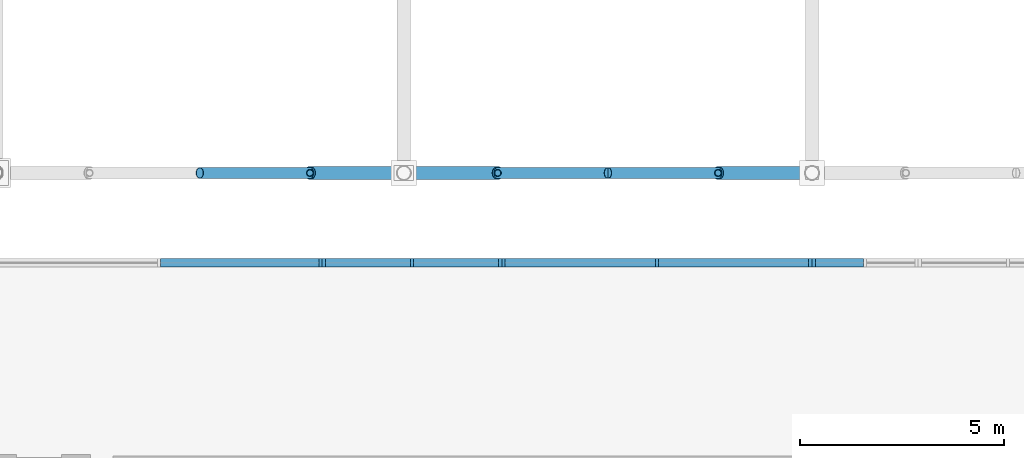
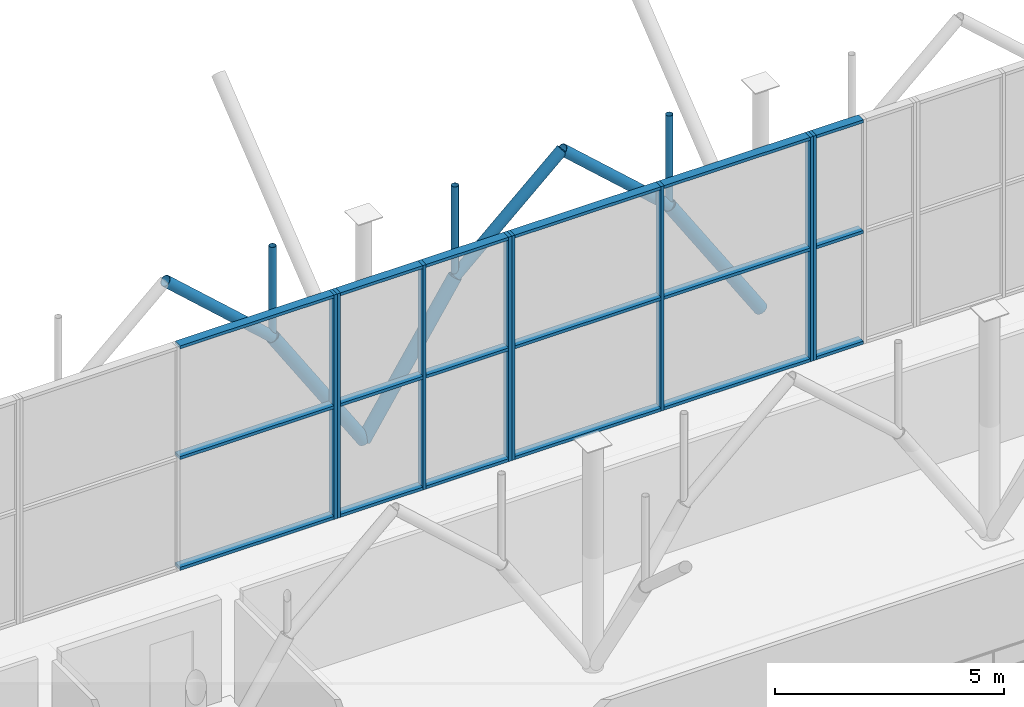
# One storey, part 61 of 109: 35 members, 4 elements without a shape of their own.
"""IFC4 building model written with IfcOpenShell, lengths in metres."""

import ifcopenshell
import ifcopenshell.guid

model = None  # the IFC model being written
_history = None  # IfcOwnerHistory: only IFC2X3 demands one
_inside = {}  # id of a spatial element -> (the spatial element, [elements in it])
_under = {}  # id of a project, library or spatial element -> (it, [spatial elements below it])
_declared = {}  # id of a project -> (the project, [libraries it declares])
_typed = {}  # id of a type object -> (the type object, [elements of that type])
_made_of = {}  # id of a material, layer set ... -> (it, [elements and type objects made of it])


def new_model(schema):
    """Start an empty IFC model of exactly this schema.

    Asked for "IFC4X3", IfcOpenShell would pick the latest addendum, in which some entities
    have other attributes; the version numbers below select the first issue.
    IFC2X3 requires an IfcOwnerHistory on every rooted entity: one is made here for all.
    """
    global model, _history
    if schema == "IFC4X3":
        model = ifcopenshell.file(schema_version=(4, 3, 0, 0))
    else:
        model = ifcopenshell.file(schema=schema)
    _inside.clear()
    _under.clear()
    _declared.clear()
    _typed.clear()
    _made_of.clear()
    _history = None
    if model.schema == "IFC2X3":
        org = make("IfcOrganization", Name="unknown")
        user = make(
            "IfcPersonAndOrganization",
            ThePerson=make("IfcPerson", FamilyName="unknown"),
            TheOrganization=org,
        )
        app = make(
            "IfcApplication",
            ApplicationDeveloper=org,
            Version="unknown",
            ApplicationFullName="unknown",
            ApplicationIdentifier="unknown",
        )
        _history = make(
            "IfcOwnerHistory",
            OwningUser=user,
            OwningApplication=app,
            ChangeAction="ADDED",
            CreationDate=0,
        )
    return model


def make(cls, **values):
    """One entity of the class cls with the attributes given. An attribute that is None is left unset."""
    return model.create_entity(
        cls, **{name: value for name, value in values.items() if value is not None}
    )


def rooted(cls, **values):
    """An entity with a GlobalId (a new one), such as an element, a storey or a relation."""
    return make(cls, GlobalId=ifcopenshell.guid.new(), OwnerHistory=_history, **values)


def si_unit(unit_type, name, prefix=None):
    """IfcSIUnit, for example si_unit("LENGTHUNIT", "METRE", prefix="MILLI")."""
    return make("IfcSIUnit", UnitType=unit_type, Prefix=prefix, Name=name)


def derived_unit(unit_type, elements):
    """IfcDerivedUnit: a product of units, each with its exponent."""
    return make(
        "IfcDerivedUnit",
        Elements=[
            make("IfcDerivedUnitElement", Unit=unit, Exponent=power)
            for unit, power in elements
        ],
        UnitType=unit_type,
    )


def assignment(units):
    """IfcUnitAssignment: the units of a project."""
    return None if units is None else make("IfcUnitAssignment", Units=units)


def point(xyz):
    """IfcCartesianPoint."""
    return None if xyz is None else make("IfcCartesianPoint", Coordinates=xyz)


def direction(xyz):
    """IfcDirection."""
    return None if xyz is None else make("IfcDirection", DirectionRatios=xyz)


def frame(location, z_axis=None, x_axis=None):
    """IfcAxis2Placement3D, a coordinate frame: its origin and axes. An axis left out is left unset."""
    return make(
        "IfcAxis2Placement3D",
        Location=point(location),
        Axis=direction(z_axis),
        RefDirection=direction(x_axis),
    )


def frame_2d(location, x_axis=None):
    """IfcAxis2Placement2D, a coordinate frame in the plane: its origin and x axis."""
    return make(
        "IfcAxis2Placement2D", Location=point(location), RefDirection=direction(x_axis)
    )


def origin():
    """The frame at (0, 0, 0) with its axes left unset."""
    return frame((0.0, 0.0, 0.0))


def origin_2d_with_axis():
    """The frame at (0, 0) in the plane with the x axis (1, 0) written out."""
    return frame_2d((0.0, 0.0), x_axis=(1.0, 0.0))


def place(relative_to, where):
    """IfcLocalPlacement: puts the frame where relative to a parent placement (None: the world)."""
    return make(
        "IfcLocalPlacement", PlacementRelTo=relative_to, RelativePlacement=where
    )


def context(
    kind, dimensions, precision=None, world=None, true_north=None, identifier=None
):
    """IfcGeometricRepresentationContext, for example the 3D "Model" context."""
    return make(
        "IfcGeometricRepresentationContext",
        ContextIdentifier=identifier,
        ContextType=kind,
        CoordinateSpaceDimension=dimensions,
        Precision=precision,
        WorldCoordinateSystem=world,
        TrueNorth=true_north,
    )


def subcontext(parent, identifier, kind, view, scale=None):
    """IfcGeometricRepresentationSubContext, for example "Body" below "Model"."""
    return make(
        "IfcGeometricRepresentationSubContext",
        ContextIdentifier=identifier,
        ContextType=kind,
        ParentContext=parent,
        TargetScale=scale,
        TargetView=view,
    )


def project(units=None, contexts=None):
    """IfcProject with its units and contexts."""
    return rooted(
        "IfcProject",
        Name="project",
        RepresentationContexts=contexts,
        UnitsInContext=assignment(units),
    )


def spatial(cls, under=None, at=None, **own):
    """A site, building, storey or space (cls), placed at a placement, below another one or the project."""
    s = rooted(cls, ObjectPlacement=at, **own)
    if under is not None:
        _under.setdefault(under.id(), (under, []))[1].append(s)
    return s


def profile(cls, at=None, kind="AREA", **sizes):
    """A parametric profile (cls). Its sizes go by their IFC names, for example OverallWidth=200.0."""
    return make(cls, ProfileType=kind, Position=at, **sizes)


def rectangle(**sizes):
    """IfcRectangleProfileDef."""
    return profile("IfcRectangleProfileDef", **sizes)


def hollow_circle(**sizes):
    """IfcCircleHollowProfileDef."""
    return profile("IfcCircleHollowProfileDef", **sizes)


def extrude(swept, where, along, depth):
    """IfcExtrudedAreaSolid: the profile swept, set in the frame where, extruded along a direction by depth."""
    return make(
        "IfcExtrudedAreaSolid",
        SweptArea=swept,
        Position=where,
        ExtrudedDirection=direction(along),
        Depth=depth,
    )


def shape(context_of_items, identifier, shape_type, items):
    """IfcShapeRepresentation: the items that make up one representation, for example the "Body"."""
    return make(
        "IfcShapeRepresentation",
        ContextOfItems=context_of_items,
        RepresentationIdentifier=identifier,
        RepresentationType=shape_type,
        Items=items,
    )


def material(Name=None, Category=None):
    """IfcMaterial."""
    return make("IfcMaterial", Name=Name, Category=Category)


def material_profile(
    of_material, cross_section, Name=None, Category=None, Priority=None
):
    """IfcMaterialProfile: a cross section and its material."""
    return make(
        "IfcMaterialProfile",
        Name=Name,
        Material=of_material,
        Profile=cross_section,
        Priority=Priority,
        Category=Category,
    )


def profile_set(profiles, Name=None, composite=None):
    """IfcMaterialProfileSet."""
    return make(
        "IfcMaterialProfileSet",
        Name=Name,
        MaterialProfiles=profiles,
        CompositeProfile=composite,
    )


def made_of(thing, what):
    """Note that an element or type object is made of a material, layer set ...; save() writes the relation."""
    if what is not None:
        _made_of.setdefault(what.id(), (what, []))[1].append(thing)
    return thing


def type_object(cls, material=None, **own):
    """A type object (cls), such as IfcWallType, which elements share."""
    return made_of(rooted(cls, **own), material)


def element(
    cls,
    number,
    at=None,
    inside=None,
    cuts=None,
    type_object=None,
    material=None,
    context=None,
    identifier="Body",
    shape_type=None,
    held_by="IfcProductDefinitionShape",
    body=None,
    shapes=None,
    **own,
):
    """One element of the class cls, such as IfcWall. Its Tag is "e" and its number.

    at: its placement. inside: the storey or other place that contains it. cuts: it is an
    opening in that element (IfcRelVoidsElement). A single representation is given by context,
    identifier, shape_type and body (its items); several are given by shapes. held_by: the class
    of the entity that holds the representations. save() writes the other relations.
    """
    e = rooted(cls, Tag="e%d" % number, ObjectPlacement=at, **own)
    if body is not None:
        shapes = [shape(context, identifier, shape_type, body)]
    if shapes is not None:
        e.Representation = make(held_by, Representations=shapes)
    if inside is not None:
        _inside.setdefault(inside.id(), (inside, []))[1].append(e)
    if cuts is not None:
        rooted(
            "IfcRelVoidsElement", RelatingBuildingElement=cuts, RelatedOpeningElement=e
        )
    if type_object is not None:
        _typed.setdefault(type_object.id(), (type_object, []))[1].append(e)
    return made_of(e, material)


def aggregate(whole, parts):
    """IfcRelAggregates: a whole, such as a stair, and the parts it consists of."""
    return rooted("IfcRelAggregates", RelatingObject=whole, RelatedObjects=parts)


def save(model, path):
    """Write the relations noted so far, then the file.

    IfcRelAggregates (storeys below a building ...), IfcRelContainedInSpatialStructure (elements
    in a storey), IfcRelDefinesByType, IfcRelAssociatesMaterial and IfcRelDeclares: one each for
    every whole, place, type object, material and project.
    """
    for whole, parts in _under.values():
        aggregate(whole, parts)
    for where, things in _inside.values():
        rooted(
            "IfcRelContainedInSpatialStructure",
            RelatedElements=things,
            RelatingStructure=where,
        )
    for kind, things in _typed.values():
        rooted("IfcRelDefinesByType", RelatedObjects=things, RelatingType=kind)
    for what, things in _made_of.values():
        rooted("IfcRelAssociatesMaterial", RelatedObjects=things, RelatingMaterial=what)
    for by, libraries in _declared.values():
        rooted("IfcRelDeclares", RelatingContext=by, RelatedDefinitions=libraries)
    model.write(path)


model = new_model("IFC4")

# Units and contexts
model_context = context("Model", 3, precision=1e-05, world=origin(), true_north=direction((0.0, 1.0)))
body_context = subcontext(model_context, "Body", "Model", "MODEL_VIEW")
ifc_project = project(units=[si_unit("LENGTHUNIT", "METRE"), si_unit("AREAUNIT", "SQUARE_METRE"), si_unit("VOLUMEUNIT", "CUBIC_METRE"), si_unit("PLANEANGLEUNIT", "RADIAN"), si_unit("MASSUNIT", "GRAM", prefix="KILO"), derived_unit("THERMALTRANSMITTANCEUNIT", [(si_unit("POWERUNIT", "WATT"), 1), (si_unit("LENGTHUNIT", "METRE"), -2), (si_unit("THERMODYNAMICTEMPERATUREUNIT", "KELVIN"), -1)])], contexts=[model_context])

# Site, building, storey
site_placement = place(None, origin())
site = spatial("IfcSite", under=ifc_project, at=site_placement, CompositionType="ELEMENT")
building_placement = place(site_placement, origin())
building = spatial("IfcBuilding", under=site, at=building_placement, Name="Cinnabar Yard Market Hall", CompositionType="ELEMENT")
storey_placement = place(building_placement, frame((0.0, 0.0, 8.39990234375)))
storey = spatial("IfcBuildingStorey", under=building, at=storey_placement, Name="L02", CompositionType="ELEMENT", Elevation=8.39990234375)

# Curtain wall, member
ifc_material_1 = material(Name="Anodised bronze aluminium and low-E glass", Category="aluminium")
curtain_wall_type_1 = type_object("IfcCurtainWallType", Name="CW-CWH080x60", PredefinedType="NOTDEFINED", material=ifc_material_1)
curtain_wall_1_placement = place(storey_placement, origin())
curtain_wall_1 = element("IfcCurtainWall", 1, at=curtain_wall_1_placement, inside=storey, type_object=curtain_wall_type_1, Name="Market Hall North Upper Clerestory B3", PredefinedType="NOTDEFINED")
ifc_material_2 = material(Name="Anodised bronze aluminium", Category="aluminium")
ifc_material_profile_1 = material_profile(ifc_material_2, rectangle(XDim=0.219970703125, YDim=0.080078125, at=origin_2d_with_axis()), Name="MUL-CWH")
ifc_profile_set_1 = profile_set([ifc_material_profile_1], Name="Anodised bronze aluminium")
member_type_1 = type_object("IfcMemberType", Name="CWM-CWH", PredefinedType="MULLION", material=ifc_profile_set_1)
member_1_placement = place(storey_placement, frame((113.9599609375, 71.800048828125, 0.0), z_axis=(0.0, 0.0, 1.0), x_axis=(0.0, -1.0, 0.0)))
member_1 = element("IfcMember", 2, at=member_1_placement, type_object=member_type_1, Name="CWH080x60 mullion 1", PredefinedType="MULLION", context=body_context, shape_type="SweptSolid", body=[
    extrude(rectangle(XDim=0.219970703125, YDim=0.080078125, at=origin_2d_with_axis()), origin(), (0.0, 0.0, 1.0), 5.97998046875),
])

# Curtain wall, members
curtain_wall_type_2 = type_object("IfcCurtainWallType", Name="CW-CWH044x60", PredefinedType="NOTDEFINED", material=ifc_material_1)
curtain_wall_2_placement = place(storey_placement, origin())
curtain_wall_2 = element("IfcCurtainWall", 3, at=curtain_wall_2_placement, inside=storey, type_object=curtain_wall_type_2, Name="Market Hall North Upper Clerestory PT1", PredefinedType="NOTDEFINED")
member_2_placement = place(storey_placement, frame((118.360107421875, 71.800048828125, 0.0), z_axis=(0.0, 0.0, 1.0), x_axis=(0.0, -1.0, 0.0)))
member_2 = element("IfcMember", 4, at=member_2_placement, type_object=member_type_1, Name="CWH044x60 mullion 1", PredefinedType="MULLION", context=body_context, shape_type="SweptSolid", body=[
    extrude(rectangle(XDim=0.219970703125, YDim=0.080078125, at=origin_2d_with_axis()), origin(), (0.0, 0.0, 1.0), 5.97998046875),
])
member_3_placement = place(storey_placement, frame((116.199951171875, 71.800048828125, 0.0), z_axis=(0.0, 0.0, 1.0), x_axis=(0.0, -1.0, 0.0)))
member_3 = element("IfcMember", 5, at=member_3_placement, type_object=member_type_1, Name="CWH044x60 mullion 2", PredefinedType="MULLION", context=body_context, shape_type="SweptSolid", body=[
    extrude(rectangle(XDim=0.219970703125, YDim=0.080078125, at=origin_2d_with_axis()), origin(), (0.0, 0.0, 1.0), 5.97998046875),
])
member_4_placement = place(storey_placement, frame((114.0400390625, 71.800048828125, 0.0), z_axis=(0.0, 0.0, 1.0), x_axis=(0.0, -1.0, 0.0)))
member_4 = element("IfcMember", 6, at=member_4_placement, type_object=member_type_1, Name="CWH044x60 mullion 3", PredefinedType="MULLION", context=body_context, shape_type="SweptSolid", body=[
    extrude(rectangle(XDim=0.219970703125, YDim=0.080078125, at=origin_2d_with_axis()), origin(), (0.0, 0.0, 1.0), 5.97998046875),
])

curtain_wall_type_3 = type_object("IfcCurtainWallType", Name="CW-CWH076x60", PredefinedType="NOTDEFINED", material=ifc_material_1)
curtain_wall_3_placement = place(storey_placement, origin())
curtain_wall_3 = element("IfcCurtainWall", 7, at=curtain_wall_3_placement, inside=storey, type_object=curtain_wall_type_3, Name="Market Hall North Upper Clerestory B4", PredefinedType="NOTDEFINED")
member_5_placement = place(storey_placement, frame((125.9599609375, 71.800048828125, 0.0), z_axis=(0.0, 0.0, 1.0), x_axis=(0.0, -1.0, 0.0)))
member_5 = element("IfcMember", 8, at=member_5_placement, type_object=member_type_1, Name="CWH076x60 mullion 1", PredefinedType="MULLION", context=body_context, shape_type="SweptSolid", body=[
    extrude(rectangle(XDim=0.219970703125, YDim=0.080078125, at=origin_2d_with_axis()), origin(), (0.0, 0.0, 1.0), 5.97998046875),
])
member_6_placement = place(storey_placement, frame((122.199951171875, 71.800048828125, 0.0), z_axis=(0.0, 0.0, 1.0), x_axis=(0.0, -1.0, 0.0)))
member_6 = element("IfcMember", 9, at=member_6_placement, type_object=member_type_1, Name="CWH076x60 mullion 2", PredefinedType="MULLION", context=body_context, shape_type="SweptSolid", body=[
    extrude(rectangle(XDim=0.219970703125, YDim=0.080078125, at=origin_2d_with_axis()), origin(), (0.0, 0.0, 1.0), 5.97998046875),
])
member_7_placement = place(storey_placement, frame((118.43994140625, 71.800048828125, 0.0), z_axis=(0.0, 0.0, 1.0), x_axis=(0.0, -1.0, 0.0)))
member_7 = element("IfcMember", 10, at=member_7_placement, type_object=member_type_1, Name="CWH076x60 mullion 3", PredefinedType="MULLION", context=body_context, shape_type="SweptSolid", body=[
    extrude(rectangle(XDim=0.219970703125, YDim=0.080078125, at=origin_2d_with_axis()), origin(), (0.0, 0.0, 1.0), 5.97998046875),
])

# Curtain wall, member
curtain_wall_type_4 = type_object("IfcCurtainWallType", Name="CW-CWH026x60", PredefinedType="NOTDEFINED", material=ifc_material_1)
curtain_wall_4_placement = place(storey_placement, origin())
curtain_wall_4 = element("IfcCurtainWall", 11, at=curtain_wall_4_placement, inside=storey, type_object=curtain_wall_type_4, Name="Market Hall North Upper Clerestory B5A", PredefinedType="NOTDEFINED")
member_8_placement = place(storey_placement, frame((126.0400390625, 71.800048828125, 0.0), z_axis=(0.0, 0.0, 1.0), x_axis=(0.0, -1.0, 0.0)))
member_8 = element("IfcMember", 12, at=member_8_placement, type_object=member_type_1, Name="CWH026x60 mullion 3", PredefinedType="MULLION", context=body_context, shape_type="SweptSolid", body=[
    extrude(rectangle(XDim=0.219970703125, YDim=0.080078125, at=origin_2d_with_axis()), origin(), (0.0, 0.0, 1.0), 5.97998046875),
])

# Member
ifc_material_profile_2 = material_profile(ifc_material_2, rectangle(XDim=0.219970703125, YDim=0.080078125, at=origin_2d_with_axis()), Name="TRN-CWH")
ifc_profile_set_2 = profile_set([ifc_material_profile_2], Name="Anodised bronze aluminium")
member_type_2 = type_object("IfcMemberType", Name="CWT-CWH", PredefinedType="USERDEFINED", material=ifc_profile_set_2)
member_9_placement = place(storey_placement, frame((113.919921875, 71.800048828125, 0.0400390625), z_axis=(-1.0, 0.0, 0.0), x_axis=(0.0, -1.0, 0.0)))
member_9 = element("IfcMember", 13, at=member_9_placement, type_object=member_type_2, Name="CWH080x60 transom 1.1", ObjectType="TRANSOM", PredefinedType="USERDEFINED", context=body_context, shape_type="SweptSolid", body=[
    extrude(rectangle(XDim=0.219970703125, YDim=0.080078125, at=origin_2d_with_axis()), origin(), (0.0, 0.0, 1.0), 3.8798828125),
])

member_10_placement = place(storey_placement, frame((113.919921875, 71.800048828125, 2.989990234375), z_axis=(-1.0, 0.0, 0.0), x_axis=(0.0, -1.0, 0.0)))
member_10 = element("IfcMember", 14, at=member_10_placement, type_object=member_type_2, Name="CWH080x60 transom 1.2", ObjectType="TRANSOM", PredefinedType="USERDEFINED", context=body_context, shape_type="SweptSolid", body=[
    extrude(rectangle(XDim=0.219970703125, YDim=0.080078125, at=origin_2d_with_axis()), origin(), (0.0, 0.0, 1.0), 3.8798828125),
])

member_11_placement = place(storey_placement, frame((113.919921875, 71.800048828125, 5.940185546875), z_axis=(-1.0, 0.0, 0.0), x_axis=(0.0, -1.0, 0.0)))
member_11 = element("IfcMember", 15, at=member_11_placement, type_object=member_type_2, Name="CWH080x60 transom 1.3", ObjectType="TRANSOM", PredefinedType="USERDEFINED", context=body_context, shape_type="SweptSolid", body=[
    extrude(rectangle(XDim=0.219970703125, YDim=0.080078125, at=origin_2d_with_axis()), origin(), (0.0, 0.0, 1.0), 3.8798828125),
])

aggregate(curtain_wall_1, [member_1, member_9, member_10, member_11])

member_12_placement = place(storey_placement, frame((118.320068359375, 71.800048828125, 0.0400390625), z_axis=(-1.0, 0.0, 0.0), x_axis=(0.0, -1.0, 0.0)))
member_12 = element("IfcMember", 16, at=member_12_placement, type_object=member_type_2, Name="CWH044x60 transom 1.1", ObjectType="TRANSOM", PredefinedType="USERDEFINED", context=body_context, shape_type="SweptSolid", body=[
    extrude(rectangle(XDim=0.219970703125, YDim=0.080078125, at=origin_2d_with_axis()), origin(), (0.0, 0.0, 1.0), 2.080078125),
])

member_13_placement = place(storey_placement, frame((118.320068359375, 71.800048828125, 2.989990234375), z_axis=(-1.0, 0.0, 0.0), x_axis=(0.0, -1.0, 0.0)))
member_13 = element("IfcMember", 17, at=member_13_placement, type_object=member_type_2, Name="CWH044x60 transom 1.2", ObjectType="TRANSOM", PredefinedType="USERDEFINED", context=body_context, shape_type="SweptSolid", body=[
    extrude(rectangle(XDim=0.219970703125, YDim=0.080078125, at=origin_2d_with_axis()), origin(), (0.0, 0.0, 1.0), 2.080078125),
])

member_14_placement = place(storey_placement, frame((118.320068359375, 71.800048828125, 5.940185546875), z_axis=(-1.0, 0.0, 0.0), x_axis=(0.0, -1.0, 0.0)))
member_14 = element("IfcMember", 18, at=member_14_placement, type_object=member_type_2, Name="CWH044x60 transom 1.3", ObjectType="TRANSOM", PredefinedType="USERDEFINED", context=body_context, shape_type="SweptSolid", body=[
    extrude(rectangle(XDim=0.219970703125, YDim=0.080078125, at=origin_2d_with_axis()), origin(), (0.0, 0.0, 1.0), 2.080078125),
])

member_15_placement = place(storey_placement, frame((116.159912109375, 71.800048828125, 0.0400390625), z_axis=(-1.0, 0.0, 0.0), x_axis=(0.0, -1.0, 0.0)))
member_15 = element("IfcMember", 19, at=member_15_placement, type_object=member_type_2, Name="CWH044x60 transom 2.1", ObjectType="TRANSOM", PredefinedType="USERDEFINED", context=body_context, shape_type="SweptSolid", body=[
    extrude(rectangle(XDim=0.219970703125, YDim=0.080078125, at=origin_2d_with_axis()), origin(), (0.0, 0.0, 1.0), 2.079833984375),
])

member_16_placement = place(storey_placement, frame((116.159912109375, 71.800048828125, 2.989990234375), z_axis=(-1.0, 0.0, 0.0), x_axis=(0.0, -1.0, 0.0)))
member_16 = element("IfcMember", 20, at=member_16_placement, type_object=member_type_2, Name="CWH044x60 transom 2.2", ObjectType="TRANSOM", PredefinedType="USERDEFINED", context=body_context, shape_type="SweptSolid", body=[
    extrude(rectangle(XDim=0.219970703125, YDim=0.080078125, at=origin_2d_with_axis()), origin(), (0.0, 0.0, 1.0), 2.079833984375),
])

member_17_placement = place(storey_placement, frame((116.159912109375, 71.800048828125, 5.940185546875), z_axis=(-1.0, 0.0, 0.0), x_axis=(0.0, -1.0, 0.0)))
member_17 = element("IfcMember", 21, at=member_17_placement, type_object=member_type_2, Name="CWH044x60 transom 2.3", ObjectType="TRANSOM", PredefinedType="USERDEFINED", context=body_context, shape_type="SweptSolid", body=[
    extrude(rectangle(XDim=0.219970703125, YDim=0.080078125, at=origin_2d_with_axis()), origin(), (0.0, 0.0, 1.0), 2.079833984375),
])

aggregate(curtain_wall_2, [member_2, member_3, member_4, member_12, member_13, member_14, member_15, member_16, member_17])

member_18_placement = place(storey_placement, frame((125.919921875, 71.800048828125, 0.0400390625), z_axis=(-1.0, 0.0, 0.0), x_axis=(0.0, -1.0, 0.0)))
member_18 = element("IfcMember", 22, at=member_18_placement, type_object=member_type_2, Name="CWH076x60 transom 1.1", ObjectType="TRANSOM", PredefinedType="USERDEFINED", context=body_context, shape_type="SweptSolid", body=[
    extrude(rectangle(XDim=0.219970703125, YDim=0.080078125, at=origin_2d_with_axis()), origin(), (0.0, 0.0, 1.0), 3.679931640625),
])

member_19_placement = place(storey_placement, frame((125.919921875, 71.800048828125, 2.989990234375), z_axis=(-1.0, 0.0, 0.0), x_axis=(0.0, -1.0, 0.0)))
member_19 = element("IfcMember", 23, at=member_19_placement, type_object=member_type_2, Name="CWH076x60 transom 1.2", ObjectType="TRANSOM", PredefinedType="USERDEFINED", context=body_context, shape_type="SweptSolid", body=[
    extrude(rectangle(XDim=0.219970703125, YDim=0.080078125, at=origin_2d_with_axis()), origin(), (0.0, 0.0, 1.0), 3.679931640625),
])

member_20_placement = place(storey_placement, frame((125.919921875, 71.800048828125, 5.940185546875), z_axis=(-1.0, 0.0, 0.0), x_axis=(0.0, -1.0, 0.0)))
member_20 = element("IfcMember", 24, at=member_20_placement, type_object=member_type_2, Name="CWH076x60 transom 1.3", ObjectType="TRANSOM", PredefinedType="USERDEFINED", context=body_context, shape_type="SweptSolid", body=[
    extrude(rectangle(XDim=0.219970703125, YDim=0.080078125, at=origin_2d_with_axis()), origin(), (0.0, 0.0, 1.0), 3.679931640625),
])

member_21_placement = place(storey_placement, frame((122.159912109375, 71.800048828125, 0.0400390625), z_axis=(-1.0, 0.0, 0.0), x_axis=(0.0, -1.0, 0.0)))
member_21 = element("IfcMember", 25, at=member_21_placement, type_object=member_type_2, Name="CWH076x60 transom 2.1", ObjectType="TRANSOM", PredefinedType="USERDEFINED", context=body_context, shape_type="SweptSolid", body=[
    extrude(rectangle(XDim=0.219970703125, YDim=0.080078125, at=origin_2d_with_axis()), origin(), (0.0, 0.0, 1.0), 3.679931640625),
])

member_22_placement = place(storey_placement, frame((122.159912109375, 71.800048828125, 2.989990234375), z_axis=(-1.0, 0.0, 0.0), x_axis=(0.0, -1.0, 0.0)))
member_22 = element("IfcMember", 26, at=member_22_placement, type_object=member_type_2, Name="CWH076x60 transom 2.2", ObjectType="TRANSOM", PredefinedType="USERDEFINED", context=body_context, shape_type="SweptSolid", body=[
    extrude(rectangle(XDim=0.219970703125, YDim=0.080078125, at=origin_2d_with_axis()), origin(), (0.0, 0.0, 1.0), 3.679931640625),
])

member_23_placement = place(storey_placement, frame((122.159912109375, 71.800048828125, 5.940185546875), z_axis=(-1.0, 0.0, 0.0), x_axis=(0.0, -1.0, 0.0)))
member_23 = element("IfcMember", 27, at=member_23_placement, type_object=member_type_2, Name="CWH076x60 transom 2.3", ObjectType="TRANSOM", PredefinedType="USERDEFINED", context=body_context, shape_type="SweptSolid", body=[
    extrude(rectangle(XDim=0.219970703125, YDim=0.080078125, at=origin_2d_with_axis()), origin(), (0.0, 0.0, 1.0), 3.679931640625),
])

aggregate(curtain_wall_3, [member_5, member_6, member_7, member_18, member_19, member_20, member_21, member_22, member_23])

member_24_placement = place(storey_placement, frame((127.260009765625, 71.800048828125, 0.0400390625), z_axis=(-1.0, 0.0, 0.0), x_axis=(0.0, -1.0, 0.0)))
member_24 = element("IfcMember", 28, at=member_24_placement, type_object=member_type_2, Name="CWH026x60 transom 2.1", ObjectType="TRANSOM", PredefinedType="USERDEFINED", context=body_context, shape_type="SweptSolid", body=[
    extrude(rectangle(XDim=0.219970703125, YDim=0.080078125, at=origin_2d_with_axis()), origin(), (0.0, 0.0, 1.0), 1.179931640625),
])

member_25_placement = place(storey_placement, frame((127.260009765625, 71.800048828125, 2.989990234375), z_axis=(-1.0, 0.0, 0.0), x_axis=(0.0, -1.0, 0.0)))
member_25 = element("IfcMember", 29, at=member_25_placement, type_object=member_type_2, Name="CWH026x60 transom 2.2", ObjectType="TRANSOM", PredefinedType="USERDEFINED", context=body_context, shape_type="SweptSolid", body=[
    extrude(rectangle(XDim=0.219970703125, YDim=0.080078125, at=origin_2d_with_axis()), origin(), (0.0, 0.0, 1.0), 1.179931640625),
])

member_26_placement = place(storey_placement, frame((127.260009765625, 71.800048828125, 5.940185546875), z_axis=(-1.0, 0.0, 0.0), x_axis=(0.0, -1.0, 0.0)))
member_26 = element("IfcMember", 30, at=member_26_placement, type_object=member_type_2, Name="CWH026x60 transom 2.3", ObjectType="TRANSOM", PredefinedType="USERDEFINED", context=body_context, shape_type="SweptSolid", body=[
    extrude(rectangle(XDim=0.219970703125, YDim=0.080078125, at=origin_2d_with_axis()), origin(), (0.0, 0.0, 1.0), 1.179931640625),
])

aggregate(curtain_wall_4, [member_8, member_24, member_25, member_26])

# Members
ifc_material_3 = material(Name="Spotted-gum glulam-clad steel Grade 350 (350 MPa)", Category="steel")
ifc_material_profile_3 = material_profile(ifc_material_3, hollow_circle(Radius=0.136474609375, WallThickness=0.00927734375, at=origin_2d_with_axis()), Name="273.1x9.3CHS")
ifc_profile_set_3 = profile_set([ifc_material_profile_3], Name="Spotted-gum glulam-clad steel Grade 350 (350 MPa)")
member_type_3 = type_object("IfcMemberType", Name="MB-AR01E", PredefinedType="USERDEFINED", material=ifc_profile_set_3)
for number, where, z_axis, x_axis, name in (
    (31, (118.300048828125, 74.0, 3.550048828125), (0.743297488271, 0.0, 0.668961018244), (0.0, 1.0, 0.0), "Pointed Arch Rib 0157"),
    (32, (113.699951171875, 74.0, 3.550048828125), (-0.743297488271, 0.0, 0.668961018244), (0.0, -1.0, 0.0), "Pointed Arch Rib 0158"),
    (33, (123.699951171875, 74.0, 3.550048828125), (-0.743297488271, 0.0, 0.668961018244), (0.0, -1.0, 0.0), "Pointed Arch Rib 0162"),
):
    element("IfcMember", number, at=place(storey_placement, frame(where, z_axis=z_axis, x_axis=x_axis)), inside=storey, type_object=member_type_3, Name=name, ObjectType="ARCH RIB", PredefinedType="USERDEFINED", context=body_context, shape_type="SweptSolid", body=[
        extrude(hollow_circle(Radius=0.136474609375, WallThickness=0.00927734375, at=origin_2d_with_axis()), origin(), (0.0, 0.0, 1.0), 3.63232421875),
    ])
ifc_material_profile_4 = material_profile(ifc_material_3, hollow_circle(Radius=0.161865234375, WallThickness=0.009521484375, at=origin_2d_with_axis()), Name="323.9x9.5CHS")
ifc_profile_set_4 = profile_set([ifc_material_profile_4], Name="Spotted-gum glulam-clad steel Grade 350 (350 MPa)")
member_type_4 = type_object("IfcMemberType", Name="MB-ST01E", PredefinedType="STRUT", material=ifc_profile_set_4)
for number, where, z_axis, x_axis, name in (
    (34, (116.0, 74.0, 0.0), (0.543744165176, 0.0, 0.839251024925), (0.0, 1.0, 0.0), "Curved Branch Arm Lower 0157"),
    (35, (116.0, 74.0, 0.0), (-0.543744165176, 0.0, 0.839251024925), (0.0, -1.0, 0.0), "Curved Branch Arm Lower 0158"),
    (36, (126.0, 74.0, 0.0), (-0.543744165176, 0.0, 0.839251024925), (0.0, -1.0, 0.0), "Curved Branch Arm Lower 0162"),
):
    element("IfcMember", number, at=place(storey_placement, frame(where, z_axis=z_axis, x_axis=x_axis)), inside=storey, type_object=member_type_4, Name=name, PredefinedType="STRUT", context=body_context, shape_type="SweptSolid", body=[
        extrude(hollow_circle(Radius=0.161865234375, WallThickness=0.009521484375, at=origin_2d_with_axis()), origin(), (0.0, 0.0, 1.0), 4.22998046875),
    ])
ifc_material_4 = material(Name="Cold-formed steel C350L0", Category="steel")
ifc_material_profile_5 = material_profile(ifc_material_4, hollow_circle(Radius=0.084228515625, WallThickness=0.00634765625, at=origin_2d_with_axis()), Name="168.3x6.4CHS")
ifc_profile_set_5 = profile_set([ifc_material_profile_5], Name="Cold-formed steel C350L0")
member_type_5 = type_object("IfcMemberType", Name="MB-WB01E", PredefinedType="STRUT", material=ifc_profile_set_5)
for number, where, z_axis, x_axis, name in (
    (37, (118.300048828125, 74.0, 3.550048828125), (0.0, 0.0, 1.0), (1.0, 0.0, 0.0), "Arch Spandrel Post 0157"),
    (38, (113.699951171875, 74.0, 3.550048828125), (0.0, 0.0, 1.0), (1.0, 0.0, 0.0), "Arch Spandrel Post 0158"),
    (39, (123.699951171875, 74.0, 3.550048828125), (0.0, 0.0, 1.0), (1.0, 0.0, 0.0), "Arch Spandrel Post 0162"),
):
    element("IfcMember", number, at=place(storey_placement, frame(where, z_axis=z_axis, x_axis=x_axis)), inside=storey, type_object=member_type_5, Name=name, PredefinedType="STRUT", context=body_context, shape_type="SweptSolid", body=[
        extrude(hollow_circle(Radius=0.084228515625, WallThickness=0.00634765625, at=origin_2d_with_axis()), origin(), (0.0, 0.0, 1.0), 2.429931640625),
    ])

save(model, "model.ifc")
